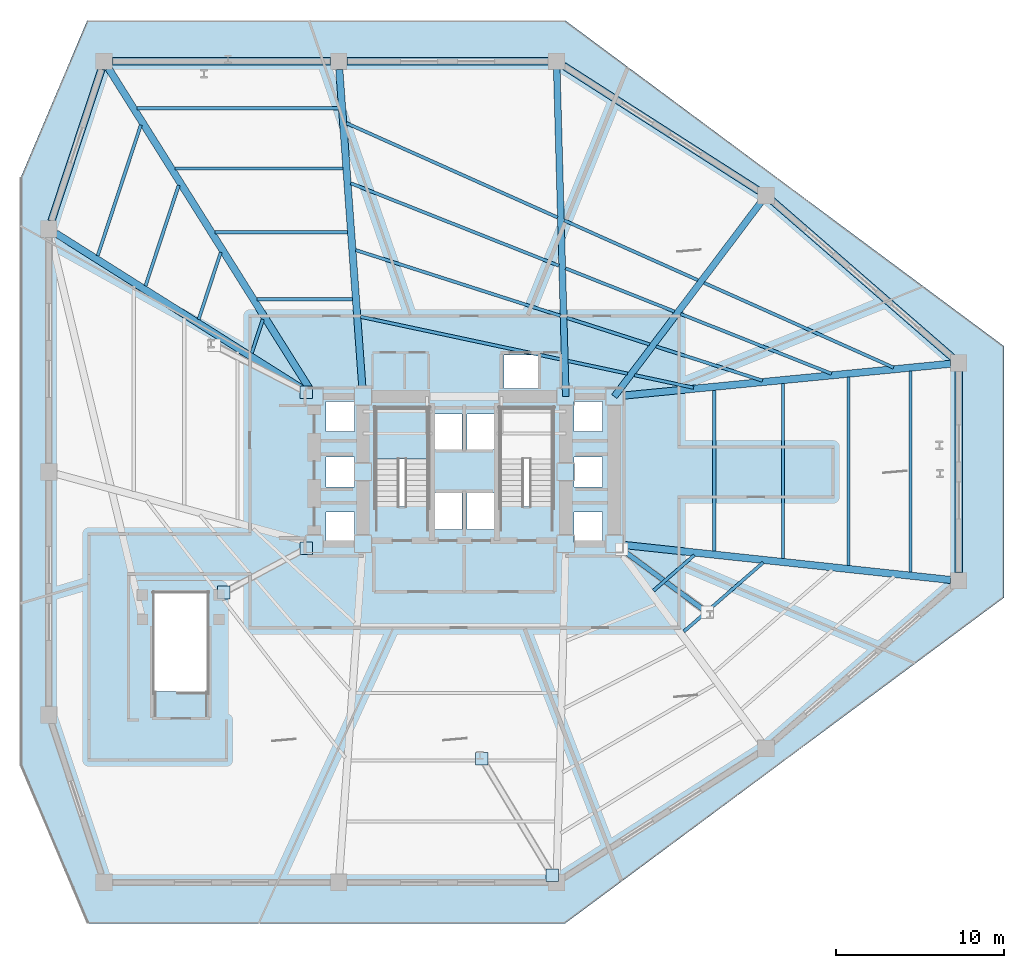
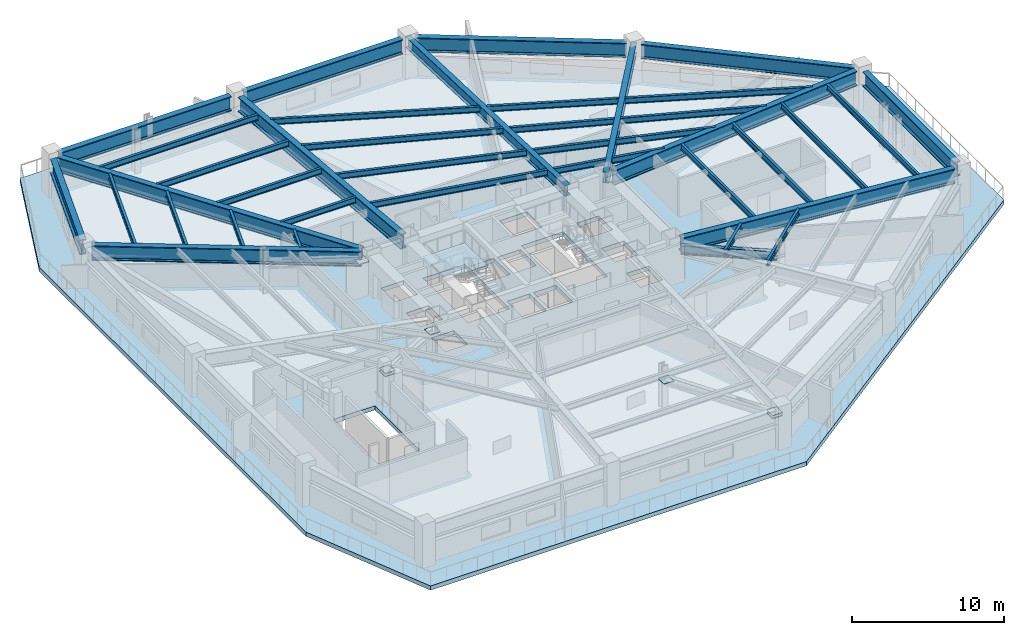
# One storey, part 2 of 10: 39 beams, 7 plates, 2 slabs, 1 member, 1 element without a shape of its own.
"""IFC4 building model written with IfcOpenShell, lengths in metres."""

import ifcopenshell
import ifcopenshell.guid

model = None  # the IFC model being written
_history = None  # IfcOwnerHistory: only IFC2X3 demands one
_inside = {}  # id of a spatial element -> (the spatial element, [elements in it])
_under = {}  # id of a project, library or spatial element -> (it, [spatial elements below it])
_declared = {}  # id of a project -> (the project, [libraries it declares])
_typed = {}  # id of a type object -> (the type object, [elements of that type])
_made_of = {}  # id of a material, layer set ... -> (it, [elements and type objects made of it])


def new_model(schema):
    """Start an empty IFC model of exactly this schema.

    Asked for "IFC4X3", IfcOpenShell would pick the latest addendum, in which some entities
    have other attributes; the version numbers below select the first issue.
    IFC2X3 requires an IfcOwnerHistory on every rooted entity: one is made here for all.
    """
    global model, _history
    if schema == "IFC4X3":
        model = ifcopenshell.file(schema_version=(4, 3, 0, 0))
    else:
        model = ifcopenshell.file(schema=schema)
    _inside.clear()
    _under.clear()
    _declared.clear()
    _typed.clear()
    _made_of.clear()
    _history = None
    if model.schema == "IFC2X3":
        org = make("IfcOrganization", Name="unknown")
        user = make(
            "IfcPersonAndOrganization",
            ThePerson=make("IfcPerson", FamilyName="unknown"),
            TheOrganization=org,
        )
        app = make(
            "IfcApplication",
            ApplicationDeveloper=org,
            Version="unknown",
            ApplicationFullName="unknown",
            ApplicationIdentifier="unknown",
        )
        _history = make(
            "IfcOwnerHistory",
            OwningUser=user,
            OwningApplication=app,
            ChangeAction="ADDED",
            CreationDate=0,
        )
    return model


def make(cls, **values):
    """One entity of the class cls with the attributes given. An attribute that is None is left unset."""
    return model.create_entity(
        cls, **{name: value for name, value in values.items() if value is not None}
    )


def rooted(cls, **values):
    """An entity with a GlobalId (a new one), such as an element, a storey or a relation."""
    return make(cls, GlobalId=ifcopenshell.guid.new(), OwnerHistory=_history, **values)


def si_unit(unit_type, name, prefix=None):
    """IfcSIUnit, for example si_unit("LENGTHUNIT", "METRE", prefix="MILLI")."""
    return make("IfcSIUnit", UnitType=unit_type, Prefix=prefix, Name=name)


def assignment(units):
    """IfcUnitAssignment: the units of a project."""
    return None if units is None else make("IfcUnitAssignment", Units=units)


def point(xyz):
    """IfcCartesianPoint."""
    return None if xyz is None else make("IfcCartesianPoint", Coordinates=xyz)


def direction(xyz):
    """IfcDirection."""
    return None if xyz is None else make("IfcDirection", DirectionRatios=xyz)


def frame(location, z_axis=None, x_axis=None):
    """IfcAxis2Placement3D, a coordinate frame: its origin and axes. An axis left out is left unset."""
    return make(
        "IfcAxis2Placement3D",
        Location=point(location),
        Axis=direction(z_axis),
        RefDirection=direction(x_axis),
    )


def frame_2d(location, x_axis=None):
    """IfcAxis2Placement2D, a coordinate frame in the plane: its origin and x axis."""
    return make(
        "IfcAxis2Placement2D", Location=point(location), RefDirection=direction(x_axis)
    )


def origin():
    """The frame at (0, 0, 0) with its axes left unset."""
    return frame((0.0, 0.0, 0.0))


def origin_2d():
    """The frame at (0, 0) in the plane with its x axis left unset."""
    return frame_2d((0.0, 0.0))


def place(relative_to, where):
    """IfcLocalPlacement: puts the frame where relative to a parent placement (None: the world)."""
    return make(
        "IfcLocalPlacement", PlacementRelTo=relative_to, RelativePlacement=where
    )


def context(
    kind, dimensions, precision=None, world=None, true_north=None, identifier=None
):
    """IfcGeometricRepresentationContext, for example the 3D "Model" context."""
    return make(
        "IfcGeometricRepresentationContext",
        ContextIdentifier=identifier,
        ContextType=kind,
        CoordinateSpaceDimension=dimensions,
        Precision=precision,
        WorldCoordinateSystem=world,
        TrueNorth=true_north,
    )


def subcontext(parent, identifier, kind, view, scale=None):
    """IfcGeometricRepresentationSubContext, for example "Body" below "Model"."""
    return make(
        "IfcGeometricRepresentationSubContext",
        ContextIdentifier=identifier,
        ContextType=kind,
        ParentContext=parent,
        TargetScale=scale,
        TargetView=view,
    )


def project(units=None, contexts=None):
    """IfcProject with its units and contexts."""
    return rooted(
        "IfcProject",
        Name="project",
        RepresentationContexts=contexts,
        UnitsInContext=assignment(units),
    )


def spatial(cls, under=None, at=None, **own):
    """A site, building, storey or space (cls), placed at a placement, below another one or the project."""
    s = rooted(cls, ObjectPlacement=at, **own)
    if under is not None:
        _under.setdefault(under.id(), (under, []))[1].append(s)
    return s


def polyline(points):
    """IfcPolyline through the points."""
    return make("IfcPolyline", Points=[point(p) for p in points])


def profile(cls, at=None, kind="AREA", **sizes):
    """A parametric profile (cls). Its sizes go by their IFC names, for example OverallWidth=200.0."""
    return make(cls, ProfileType=kind, Position=at, **sizes)


def rectangle(**sizes):
    """IfcRectangleProfileDef."""
    return profile("IfcRectangleProfileDef", **sizes)


def i_section(**sizes):
    """IfcIShapeProfileDef."""
    return profile("IfcIShapeProfileDef", **sizes)


def outline(outer, holes=None, kind="AREA"):
    """IfcArbitraryClosedProfileDef: a profile drawn as a closed curve; with holes, ...WithVoids."""
    if holes is None:
        return make("IfcArbitraryClosedProfileDef", ProfileType=kind, OuterCurve=outer)
    return make(
        "IfcArbitraryProfileDefWithVoids",
        ProfileType=kind,
        OuterCurve=outer,
        InnerCurves=holes,
    )


def extrude(swept, where, along, depth):
    """IfcExtrudedAreaSolid: the profile swept, set in the frame where, extruded along a direction by depth."""
    return make(
        "IfcExtrudedAreaSolid",
        SweptArea=swept,
        Position=where,
        ExtrudedDirection=direction(along),
        Depth=depth,
    )


def shape(context_of_items, identifier, shape_type, items):
    """IfcShapeRepresentation: the items that make up one representation, for example the "Body"."""
    return make(
        "IfcShapeRepresentation",
        ContextOfItems=context_of_items,
        RepresentationIdentifier=identifier,
        RepresentationType=shape_type,
        Items=items,
    )


def material(Name=None, Category=None):
    """IfcMaterial."""
    return make("IfcMaterial", Name=Name, Category=Category)


def layer(
    of_material, thickness, ventilated=None, Name=None, Category=None, Priority=None
):
    """IfcMaterialLayer: one layer of a wall or slab, of a material (None: an air gap)."""
    return make(
        "IfcMaterialLayer",
        Material=of_material,
        LayerThickness=thickness,
        IsVentilated=ventilated,
        Name=Name,
        Category=Category,
        Priority=Priority,
    )


def layer_set(layers, Name=None):
    """IfcMaterialLayerSet."""
    return make("IfcMaterialLayerSet", MaterialLayers=layers, LayerSetName=Name)


def material_profile(
    of_material, cross_section, Name=None, Category=None, Priority=None
):
    """IfcMaterialProfile: a cross section and its material."""
    return make(
        "IfcMaterialProfile",
        Name=Name,
        Material=of_material,
        Profile=cross_section,
        Priority=Priority,
        Category=Category,
    )


def profile_set(profiles, Name=None, composite=None):
    """IfcMaterialProfileSet."""
    return make(
        "IfcMaterialProfileSet",
        Name=Name,
        MaterialProfiles=profiles,
        CompositeProfile=composite,
    )


def made_of(thing, what):
    """Note that an element or type object is made of a material, layer set ...; save() writes the relation."""
    if what is not None:
        _made_of.setdefault(what.id(), (what, []))[1].append(thing)
    return thing


def type_object(cls, material=None, **own):
    """A type object (cls), such as IfcWallType, which elements share."""
    return made_of(rooted(cls, **own), material)


def element(
    cls,
    number,
    at=None,
    inside=None,
    cuts=None,
    type_object=None,
    material=None,
    context=None,
    identifier="Body",
    shape_type=None,
    held_by="IfcProductDefinitionShape",
    body=None,
    shapes=None,
    **own,
):
    """One element of the class cls, such as IfcWall. Its Tag is "e" and its number.

    at: its placement. inside: the storey or other place that contains it. cuts: it is an
    opening in that element (IfcRelVoidsElement). A single representation is given by context,
    identifier, shape_type and body (its items); several are given by shapes. held_by: the class
    of the entity that holds the representations. save() writes the other relations.
    """
    e = rooted(cls, Tag="e%d" % number, ObjectPlacement=at, **own)
    if body is not None:
        shapes = [shape(context, identifier, shape_type, body)]
    if shapes is not None:
        e.Representation = make(held_by, Representations=shapes)
    if inside is not None:
        _inside.setdefault(inside.id(), (inside, []))[1].append(e)
    if cuts is not None:
        rooted(
            "IfcRelVoidsElement", RelatingBuildingElement=cuts, RelatedOpeningElement=e
        )
    if type_object is not None:
        _typed.setdefault(type_object.id(), (type_object, []))[1].append(e)
    return made_of(e, material)


def aggregate(whole, parts):
    """IfcRelAggregates: a whole, such as a stair, and the parts it consists of."""
    return rooted("IfcRelAggregates", RelatingObject=whole, RelatedObjects=parts)


def save(model, path):
    """Write the relations noted so far, then the file.

    IfcRelAggregates (storeys below a building ...), IfcRelContainedInSpatialStructure (elements
    in a storey), IfcRelDefinesByType, IfcRelAssociatesMaterial and IfcRelDeclares: one each for
    every whole, place, type object, material and project.
    """
    for whole, parts in _under.values():
        aggregate(whole, parts)
    for where, things in _inside.values():
        rooted(
            "IfcRelContainedInSpatialStructure",
            RelatedElements=things,
            RelatingStructure=where,
        )
    for kind, things in _typed.values():
        rooted("IfcRelDefinesByType", RelatedObjects=things, RelatingType=kind)
    for what, things in _made_of.values():
        rooted("IfcRelAssociatesMaterial", RelatedObjects=things, RelatingMaterial=what)
    for by, libraries in _declared.values():
        rooted("IfcRelDeclares", RelatingContext=by, RelatedDefinitions=libraries)
    model.write(path)


model = new_model("IFC4")

# Units and contexts
model_context = context("Model", 3, precision=1e-05, world=origin(), true_north=direction((0.0, 1.0)))
body_context = subcontext(model_context, "Body", "Model", "MODEL_VIEW")
ifc_project = project(units=[si_unit("LENGTHUNIT", "METRE"), si_unit("AREAUNIT", "SQUARE_METRE"), si_unit("VOLUMEUNIT", "CUBIC_METRE"), si_unit("PLANEANGLEUNIT", "RADIAN"), si_unit("MASSUNIT", "GRAM", prefix="KILO")], contexts=[model_context])

# Site, building, storey
site_placement = place(None, origin())
site = spatial("IfcSite", under=ifc_project, at=site_placement, CompositionType="ELEMENT")
building_placement = place(site_placement, origin())
building = spatial("IfcBuilding", under=site, at=building_placement, Name="Rocaltana Carrier Exchange", CompositionType="ELEMENT")
storey_placement = place(building_placement, frame((0.0, 0.0, 15.360107421875)))
storey = spatial("IfcBuildingStorey", under=building, at=storey_placement, Name="L05", CompositionType="ELEMENT", Elevation=15.360107421875)

# Beams
ifc_material_1 = material(Name="Steel S355", Category="steel")
ifc_material_profile_1 = material_profile(ifc_material_1, i_section(OverallWidth=0.193115234375, OverallDepth=0.466064453125, WebThickness=0.011474609375, FlangeThickness=0.01904296875, FilletRadius=0.013916015625, at=origin_2d()), Name="W18X65")
ifc_profile_set_1 = profile_set([ifc_material_profile_1], Name="Steel S355")
beam_type_1 = type_object("IfcBeamType", Name="Floor Joist W18X65", PredefinedType="JOIST", material=ifc_profile_set_1)
beam_1_placement = place(storey_placement, frame((11.27978515625, -7.0908203125, 2.864990234375), z_axis=(0.754603899719, 0.656180580731, 0.0), x_axis=(-0.656180580731, 0.754603899719, 0.0)))
element("IfcBeam", 1, at=beam_1_placement, inside=storey, type_object=beam_type_1, Name="FJ-POD-03-1-L05", PredefinedType="JOIST", context=body_context, shape_type="SweptSolid", body=[
    extrude(i_section(OverallWidth=0.193115234375, OverallDepth=0.466064453125, WebThickness=0.011474609375, FlangeThickness=0.01904296875, FilletRadius=0.013916015625, at=origin_2d()), origin(), (0.0, 0.0, 1.0), 3.239501953125),
])
beam_2_placement = place(storey_placement, frame((13.089599609375, -9.531005859375, 2.864990234375), z_axis=(0.754588803606, 0.656197940771, 0.0), x_axis=(-0.656197940771, 0.754588803606, 0.0)))
element("IfcBeam", 2, at=beam_2_placement, inside=storey, type_object=beam_type_1, Name="FJ-POD-03-2-L05", PredefinedType="JOIST", context=body_context, shape_type="SweptSolid", body=[
    extrude(i_section(OverallWidth=0.193115234375, OverallDepth=0.466064453125, WebThickness=0.011474609375, FlangeThickness=0.01904296875, FilletRadius=0.013916015625, at=origin_2d()), origin(), (0.0, 0.0, 1.0), 6.28759765625),
])
beam_3_placement = place(storey_placement, frame((14.909423828125, -4.72900390625, 2.864990234375), z_axis=(0.0, 1.0, 0.0), x_axis=(-1.0, 0.0, 0.0)))
element("IfcBeam", 3, at=beam_3_placement, inside=storey, type_object=beam_type_1, Name="FJ-POD-04-1-L05", PredefinedType="JOIST", context=body_context, shape_type="SweptSolid", body=[
    extrude(i_section(OverallWidth=0.193115234375, OverallDepth=0.466064453125, WebThickness=0.011474609375, FlangeThickness=0.01904296875, FilletRadius=0.013916015625, at=origin_2d()), origin(), (0.0, 0.0, 1.0), 9.60009765625),
])
beam_4_placement = place(storey_placement, frame((19.01953125, -5.1689453125, 2.864990234375), z_axis=(0.0, 1.0, 0.0), x_axis=(-1.0, 0.0, 0.0)))
element("IfcBeam", 4, at=beam_4_placement, inside=storey, type_object=beam_type_1, Name="FJ-POD-04-2-L05", PredefinedType="JOIST", context=body_context, shape_type="SweptSolid", body=[
    extrude(i_section(OverallWidth=0.193115234375, OverallDepth=0.466064453125, WebThickness=0.011474609375, FlangeThickness=0.01904296875, FilletRadius=0.013916015625, at=origin_2d()), origin(), (0.0, 0.0, 1.0), 10.43994140625),
])
beam_5_placement = place(storey_placement, frame((22.924072265625, -5.5869140625, 2.864990234375), z_axis=(0.0, 1.0, 0.0), x_axis=(-1.0, 0.0, 0.0)))
element("IfcBeam", 5, at=beam_5_placement, inside=storey, type_object=beam_type_1, Name="FJ-POD-04-3-L05", PredefinedType="JOIST", context=body_context, shape_type="SweptSolid", body=[
    extrude(i_section(OverallWidth=0.193115234375, OverallDepth=0.466064453125, WebThickness=0.011474609375, FlangeThickness=0.01904296875, FilletRadius=0.013916015625, at=origin_2d()), origin(), (0.0, 0.0, 1.0), 11.23779296875),
])
beam_6_placement = place(storey_placement, frame((26.623046875, -5.98291015625, 2.864990234375), z_axis=(0.0, 1.0, 0.0), x_axis=(-1.0, 0.0, 0.0)))
element("IfcBeam", 6, at=beam_6_placement, inside=storey, type_object=beam_type_1, Name="FJ-POD-04-4-L05", PredefinedType="JOIST", context=body_context, shape_type="SweptSolid", body=[
    extrude(i_section(OverallWidth=0.193115234375, OverallDepth=0.466064453125, WebThickness=0.011474609375, FlangeThickness=0.01904296875, FilletRadius=0.013916015625, at=origin_2d()), origin(), (0.0, 0.0, 1.0), 11.993896484375),
])
beam_7_placement = place(storey_placement, frame((13.677490234375, 5.0234375, 2.864990234375), z_axis=(-0.978047761516, 0.208380844116, 0.0), x_axis=(-0.208380844116, -0.978047761516, 0.0)))
element("IfcBeam", 7, at=beam_7_placement, inside=storey, type_object=beam_type_1, Name="FJ-POD-05-1S1-L05", PredefinedType="JOIST", context=body_context, shape_type="SweptSolid", body=[
    extrude(i_section(OverallWidth=0.193115234375, OverallDepth=0.466064453125, WebThickness=0.011474609375, FlangeThickness=0.01904296875, FilletRadius=0.013916015625, at=origin_2d()), origin(), (0.0, 0.0, 1.0), 3.6015625),
])
beam_8_placement = place(storey_placement, frame((9.734130859375, 5.863525390625, 2.864990234375), z_axis=(-0.978057801324, 0.208333716111, 0.0), x_axis=(-0.208333716111, -0.978057801324, 0.0)))
element("IfcBeam", 8, at=beam_8_placement, inside=storey, type_object=beam_type_1, Name="FJ-POD-05-1S2-L05", PredefinedType="JOIST", context=body_context, shape_type="SweptSolid", body=[
    extrude(i_section(OverallWidth=0.193115234375, OverallDepth=0.466064453125, WebThickness=0.011474609375, FlangeThickness=0.01904296875, FilletRadius=0.013916015625, at=origin_2d()), origin(), (0.0, 0.0, 1.0), 3.626953125),
])
beam_9_placement = place(storey_placement, frame((5.794189453125, 6.702880859375, 2.864990234375), z_axis=(-0.978054139118, 0.208350908215, 0.0), x_axis=(-0.208350908215, -0.978054139118, 0.0)))
element("IfcBeam", 9, at=beam_9_placement, inside=storey, type_object=beam_type_1, Name="FJ-POD-05-1S3-L05", PredefinedType="JOIST", context=body_context, shape_type="SweptSolid", body=[
    extrude(i_section(OverallWidth=0.193115234375, OverallDepth=0.466064453125, WebThickness=0.011474609375, FlangeThickness=0.01904296875, FilletRadius=0.013916015625, at=origin_2d()), origin(), (0.0, 0.0, 1.0), 12.2568359375),
])
beam_10_placement = place(storey_placement, frame((17.79296875, 5.44384765625, 2.864990234375), z_axis=(-0.952170911444, 0.305565959163, 0.0), x_axis=(-0.305565959163, -0.952170911444, 0.0)))
element("IfcBeam", 10, at=beam_10_placement, inside=storey, type_object=beam_type_1, Name="FJ-POD-05-2S1-L05", PredefinedType="JOIST", context=body_context, shape_type="SweptSolid", body=[
    extrude(i_section(OverallWidth=0.193115234375, OverallDepth=0.466064453125, WebThickness=0.011474609375, FlangeThickness=0.01904296875, FilletRadius=0.013916015625, at=origin_2d()), origin(), (0.0, 0.0, 1.0), 6.669189453125),
])
beam_11_placement = place(storey_placement, frame((11.049560546875, 7.60791015625, 2.864990234375), z_axis=(-0.952167210623, 0.305577491013, 0.0), x_axis=(-0.305577491013, -0.952167210623, 0.0)))
element("IfcBeam", 11, at=beam_11_placement, inside=storey, type_object=beam_type_1, Name="FJ-POD-05-2S2-L05", PredefinedType="JOIST", context=body_context, shape_type="SweptSolid", body=[
    extrude(i_section(OverallWidth=0.193115234375, OverallDepth=0.466064453125, WebThickness=0.011474609375, FlangeThickness=0.01904296875, FilletRadius=0.013916015625, at=origin_2d()), origin(), (0.0, 0.0, 1.0), 5.18115234375),
])
beam_12_placement = place(storey_placement, frame((5.722412109375, 9.3173828125, 2.864990234375), z_axis=(-0.952173836427, 0.305556844506, 0.0), x_axis=(-0.305556844506, -0.952173836427, 0.0)))
element("IfcBeam", 12, at=beam_12_placement, inside=storey, type_object=beam_type_1, Name="FJ-POD-05-2S3-L05", PredefinedType="JOIST", context=body_context, shape_type="SweptSolid", body=[
    extrude(i_section(OverallWidth=0.193115234375, OverallDepth=0.466064453125, WebThickness=0.011474609375, FlangeThickness=0.01904296875, FilletRadius=0.013916015625, at=origin_2d()), origin(), (0.0, 0.0, 1.0), 12.82470703125),
])
beam_13_placement = place(storey_placement, frame((21.90771484375, 5.85693359375, 2.864990234375), z_axis=(-0.929708057589, 0.368297335931, 0.0), x_axis=(-0.368297335931, -0.929708057589, 0.0)))
element("IfcBeam", 13, at=beam_13_placement, inside=storey, type_object=beam_type_1, Name="FJ-POD-05-3S1-L05", PredefinedType="JOIST", context=body_context, shape_type="SweptSolid", body=[
    extrude(i_section(OverallWidth=0.193115234375, OverallDepth=0.466064453125, WebThickness=0.011474609375, FlangeThickness=0.01904296875, FilletRadius=0.013916015625, at=origin_2d()), origin(), (0.0, 0.0, 1.0), 9.681396484375),
])
beam_14_placement = place(storey_placement, frame((12.53076171875, 9.57177734375, 2.864990234375), z_axis=(-0.92971017185, 0.368291998771, 0.0), x_axis=(-0.368291998771, -0.92971017185, 0.0)))
element("IfcBeam", 14, at=beam_14_placement, inside=storey, type_object=beam_type_1, Name="FJ-POD-05-3S2-L05", PredefinedType="JOIST", context=body_context, shape_type="SweptSolid", body=[
    extrude(i_section(OverallWidth=0.193115234375, OverallDepth=0.466064453125, WebThickness=0.011474609375, FlangeThickness=0.01904296875, FilletRadius=0.013916015625, at=origin_2d()), origin(), (0.0, 0.0, 1.0), 6.987060546875),
])
beam_15_placement = place(storey_placement, frame((5.640380859375, 12.30126953125, 2.864990234375), z_axis=(-0.929710065346, 0.368292267628, 0.0), x_axis=(-0.368292267628, -0.929710065346, 0.0)))
element("IfcBeam", 15, at=beam_15_placement, inside=storey, type_object=beam_type_1, Name="FJ-POD-05-3S3-L05", PredefinedType="JOIST", context=body_context, shape_type="SweptSolid", body=[
    extrude(i_section(OverallWidth=0.193115234375, OverallDepth=0.466064453125, WebThickness=0.011474609375, FlangeThickness=0.01904296875, FilletRadius=0.013916015625, at=origin_2d()), origin(), (0.0, 0.0, 1.0), 13.36328125),
])
beam_16_placement = place(storey_placement, frame((25.610107421875, 6.22509765625, 2.864990234375), z_axis=(-0.913029333599, 0.407893902857, 0.0), x_axis=(-0.407893902857, -0.913029333599, 0.0)))
element("IfcBeam", 16, at=beam_16_placement, inside=storey, type_object=beam_type_1, Name="FJ-POD-05-4S1-L05", PredefinedType="JOIST", context=body_context, shape_type="SweptSolid", body=[
    extrude(i_section(OverallWidth=0.193115234375, OverallDepth=0.466064453125, WebThickness=0.011474609375, FlangeThickness=0.01904296875, FilletRadius=0.013916015625, at=origin_2d()), origin(), (0.0, 0.0, 1.0), 12.382568359375),
])
beam_17_placement = place(storey_placement, frame((13.93896484375, 11.439208984375, 2.864990234375), z_axis=(-0.913032607819, 0.407886573766, 0.0), x_axis=(-0.407886573766, -0.913032607819, 0.0)))
element("IfcBeam", 17, at=beam_17_placement, inside=storey, type_object=beam_type_1, Name="FJ-POD-05-4S2-L05", PredefinedType="JOIST", context=body_context, shape_type="SweptSolid", body=[
    extrude(i_section(OverallWidth=0.193115234375, OverallDepth=0.466064453125, WebThickness=0.011474609375, FlangeThickness=0.01904296875, FilletRadius=0.013916015625, at=origin_2d()), origin(), (0.0, 0.0, 1.0), 8.742919921875),
])
beam_18_placement = place(storey_placement, frame((5.561279296875, 15.181884765625, 2.864990234375), z_axis=(-0.913040088264, 0.407869828772, 0.0), x_axis=(-0.407869828772, -0.913040088264, 0.0)))
element("IfcBeam", 18, at=beam_18_placement, inside=storey, type_object=beam_type_1, Name="FJ-POD-05-4S3-L05", PredefinedType="JOIST", context=body_context, shape_type="SweptSolid", body=[
    extrude(i_section(OverallWidth=0.193115234375, OverallDepth=0.466064453125, WebThickness=0.011474609375, FlangeThickness=0.01904296875, FilletRadius=0.013916015625, at=origin_2d()), origin(), (0.0, 0.0, 1.0), 13.810302734375),
])
beam_19_placement = place(storey_placement, frame((-6.679443359375, 10.300048828125, 2.864990234375), z_axis=(-1.0, 0.0, 0.0), x_axis=(0.0, -1.0, 0.0)))
element("IfcBeam", 19, at=beam_19_placement, inside=storey, type_object=beam_type_1, Name="FJ-POD-06-1-L05", PredefinedType="JOIST", context=body_context, shape_type="SweptSolid", body=[
    extrude(i_section(OverallWidth=0.193115234375, OverallDepth=0.466064453125, WebThickness=0.011474609375, FlangeThickness=0.01904296875, FilletRadius=0.013916015625, at=origin_2d()), origin(), (0.0, 0.0, 1.0), 5.701171875),
])
beam_20_placement = place(storey_placement, frame((-6.969482421875, 14.300048828125, 2.864990234375), z_axis=(-1.0, 0.0, 0.0), x_axis=(0.0, -1.0, 0.0)))
element("IfcBeam", 20, at=beam_20_placement, inside=storey, type_object=beam_type_1, Name="FJ-POD-06-2-L05", PredefinedType="JOIST", context=body_context, shape_type="SweptSolid", body=[
    extrude(i_section(OverallWidth=0.193115234375, OverallDepth=0.466064453125, WebThickness=0.011474609375, FlangeThickness=0.01904296875, FilletRadius=0.013916015625, at=origin_2d()), origin(), (0.0, 0.0, 1.0), 7.9208984375),
])
beam_21_placement = place(storey_placement, frame((-7.2451171875, 18.10009765625, 2.864990234375), z_axis=(-1.0, 0.0, 0.0), x_axis=(0.0, -1.0, 0.0)))
element("IfcBeam", 21, at=beam_21_placement, inside=storey, type_object=beam_type_1, Name="FJ-POD-06-3-L05", PredefinedType="JOIST", context=body_context, shape_type="SweptSolid", body=[
    extrude(i_section(OverallWidth=0.193115234375, OverallDepth=0.466064453125, WebThickness=0.011474609375, FlangeThickness=0.01904296875, FilletRadius=0.013916015625, at=origin_2d()), origin(), (0.0, 0.0, 1.0), 10.02978515625),
])
beam_22_placement = place(storey_placement, frame((-7.506103515625, 21.699951171875, 2.864990234375), z_axis=(-1.0, 0.0, 0.0), x_axis=(0.0, -1.0, 0.0)))
element("IfcBeam", 22, at=beam_22_placement, inside=storey, type_object=beam_type_1, Name="FJ-POD-06-4-L05", PredefinedType="JOIST", context=body_context, shape_type="SweptSolid", body=[
    extrude(i_section(OverallWidth=0.193115234375, OverallDepth=0.466064453125, WebThickness=0.011474609375, FlangeThickness=0.01904296875, FilletRadius=0.013916015625, at=origin_2d()), origin(), (0.0, 0.0, 1.0), 12.02783203125),
])
beam_23_placement = place(storey_placement, frame((-12.027587890625, 9.1015625, 2.864990234375), z_axis=(-0.313309610187, -0.949651034941, 0.0), x_axis=(0.949651034941, -0.313309610187, 0.0)))
element("IfcBeam", 23, at=beam_23_placement, inside=storey, type_object=beam_type_1, Name="FJ-POD-07-1-L05", PredefinedType="JOIST", context=body_context, shape_type="SweptSolid", body=[
    extrude(i_section(OverallWidth=0.193115234375, OverallDepth=0.466064453125, WebThickness=0.011474609375, FlangeThickness=0.01904296875, FilletRadius=0.013916015625, at=origin_2d()), origin(), (0.0, 0.0, 1.0), 2.109375),
])
beam_24_placement = place(storey_placement, frame((-14.53759765625, 13.1015625, 2.864990234375), z_axis=(-0.313324703247, -0.949646055294, 0.0), x_axis=(0.949646055294, -0.313324703247, 0.0)))
element("IfcBeam", 24, at=beam_24_placement, inside=storey, type_object=beam_type_1, Name="FJ-POD-07-2-L05", PredefinedType="JOIST", context=body_context, shape_type="SweptSolid", body=[
    extrude(i_section(OverallWidth=0.193115234375, OverallDepth=0.466064453125, WebThickness=0.011474609375, FlangeThickness=0.01904296875, FilletRadius=0.013916015625, at=origin_2d()), origin(), (0.0, 0.0, 1.0), 4.21533203125),
])
beam_25_placement = place(storey_placement, frame((-17.047607421875, 17.1015625, 2.864990234375), z_axis=(-0.313364567994, -0.949632901455, 0.0), x_axis=(0.949632901455, -0.313364567994, 0.0)))
element("IfcBeam", 25, at=beam_25_placement, inside=storey, type_object=beam_type_1, Name="FJ-POD-07-3-L05", PredefinedType="JOIST", context=body_context, shape_type="SweptSolid", body=[
    extrude(i_section(OverallWidth=0.193115234375, OverallDepth=0.466064453125, WebThickness=0.011474609375, FlangeThickness=0.01904296875, FilletRadius=0.013916015625, at=origin_2d()), origin(), (0.0, 0.0, 1.0), 6.321533203125),
])
beam_26_placement = place(storey_placement, frame((-19.306396484375, 20.701416015625, 2.864990234375), z_axis=(-0.313400764889, -0.949620956259, 0.0), x_axis=(0.949620956259, -0.313400764889, 0.0)))
element("IfcBeam", 26, at=beam_26_placement, inside=storey, type_object=beam_type_1, Name="FJ-POD-07-4-L05", PredefinedType="JOIST", context=body_context, shape_type="SweptSolid", body=[
    extrude(i_section(OverallWidth=0.193115234375, OverallDepth=0.466064453125, WebThickness=0.011474609375, FlangeThickness=0.01904296875, FilletRadius=0.013916015625, at=origin_2d()), origin(), (0.0, 0.0, 1.0), 8.217041015625),
])
ifc_material_2 = material(Name="Steel S460", Category="steel")
ifc_material_profile_2 = material_profile(ifc_material_2, i_section(OverallWidth=0.429931640625, OverallDepth=1.159912109375, WebThickness=0.035888671875, FlangeThickness=0.06201171875, FilletRadius=0.02490234375, at=origin_2d()), Name="W44X468")
ifc_profile_set_2 = profile_set([ifc_material_profile_2], Name="Steel S460")
beam_type_2 = type_object("IfcBeamType", Name="Mega Transfer Girder W44X468", PredefinedType="USERDEFINED", material=ifc_profile_set_2)
beam_27_placement = place(storey_placement, frame((29.5, -6.008056640625, 2.517822265625), z_axis=(0.0, 1.0, 0.0), x_axis=(-1.0, 0.0, 0.0)))
element("IfcBeam", 27, at=beam_27_placement, inside=storey, type_object=beam_type_2, Name="BM-PODR-05-L05", ObjectType="TRANSFER GIRDER", PredefinedType="USERDEFINED", context=body_context, shape_type="SweptSolid", body=[
    extrude(i_section(OverallWidth=0.429931640625, OverallDepth=1.159912109375, WebThickness=0.035888671875, FlangeThickness=0.06201171875, FilletRadius=0.02490234375, at=origin_2d()), origin(), (0.0, 0.0, 1.0), 12.01611328125),
])
beam_28_placement = place(storey_placement, frame((29.128662109375, 6.82275390625, 2.517822265625), z_axis=(-0.754595198685, 0.656190586737, 0.0), x_axis=(-0.656190586737, -0.754595198685, 0.0)))
element("IfcBeam", 28, at=beam_28_placement, inside=storey, type_object=beam_type_2, Name="BM-PODR-06-L05", ObjectType="TRANSFER GIRDER", PredefinedType="USERDEFINED", context=body_context, shape_type="SweptSolid", body=[
    extrude(i_section(OverallWidth=0.429931640625, OverallDepth=1.159912109375, WebThickness=0.035888671875, FlangeThickness=0.06201171875, FilletRadius=0.02490234375, at=origin_2d()), origin(), (0.0, 0.0, 1.0), 14.255859375),
])
beam_29_placement = place(storey_placement, frame((17.585693359375, 16.76513671875, 2.517822265625), z_axis=(-0.842270120768, 0.539055696252, 0.0), x_axis=(-0.539055696252, -0.842270120768, 0.0)))
element("IfcBeam", 29, at=beam_29_placement, inside=storey, type_object=beam_type_2, Name="BM-PODR-07-L05", ObjectType="TRANSFER GIRDER", PredefinedType="USERDEFINED", context=body_context, shape_type="SweptSolid", body=[
    extrude(i_section(OverallWidth=0.429931640625, OverallDepth=1.159912109375, WebThickness=0.035888671875, FlangeThickness=0.06201171875, FilletRadius=0.02490234375, at=origin_2d()), origin(), (0.0, 0.0, 1.0), 13.857177734375),
])
beam_30_placement = place(storey_placement, frame((5.008056640625, 24.5, 2.517822265625), z_axis=(-1.0, 0.0, 0.0), x_axis=(0.0, -1.0, 0.0)))
element("IfcBeam", 30, at=beam_30_placement, inside=storey, type_object=beam_type_2, Name="BM-PODR-08-L05", ObjectType="TRANSFER GIRDER", PredefinedType="USERDEFINED", context=body_context, shape_type="SweptSolid", body=[
    extrude(i_section(OverallWidth=0.429931640625, OverallDepth=1.159912109375, WebThickness=0.035888671875, FlangeThickness=0.06201171875, FilletRadius=0.02490234375, at=origin_2d()), origin(), (0.0, 0.0, 1.0), 12.01611328125),
])
beam_31_placement = place(storey_placement, frame((-7.991943359375, 24.5, 2.517822265625), z_axis=(-1.0, 0.0, 0.0), x_axis=(0.0, -1.0, 0.0)))
element("IfcBeam", 31, at=beam_31_placement, inside=storey, type_object=beam_type_2, Name="BM-PODR-09-L05", ObjectType="TRANSFER GIRDER", PredefinedType="USERDEFINED", context=body_context, shape_type="SweptSolid", body=[
    extrude(i_section(OverallWidth=0.429931640625, OverallDepth=1.159912109375, WebThickness=0.035888671875, FlangeThickness=0.06201171875, FilletRadius=0.02490234375, at=origin_2d()), origin(), (0.0, 0.0, 1.0), 13.01611328125),
])
beam_32_placement = place(storey_placement, frame((-21.654296875, 24.03271484375, 2.517822265625), z_axis=(-0.313364538918, -0.94963291105, 0.0), x_axis=(0.94963291105, -0.313364538918, 0.0)))
element("IfcBeam", 32, at=beam_32_placement, inside=storey, type_object=beam_type_2, Name="BM-PODR-10-L05", ObjectType="TRANSFER GIRDER", PredefinedType="USERDEFINED", context=body_context, shape_type="SweptSolid", body=[
    extrude(i_section(OverallWidth=0.429931640625, OverallDepth=1.159912109375, WebThickness=0.035888671875, FlangeThickness=0.06201171875, FilletRadius=0.02490234375, at=origin_2d()), origin(), (0.0, 0.0, 1.0), 9.546142578125),
])

# Member
ifc_material_3 = material(Name="Steel S460", Category="steel")
ifc_material_profile_3 = material_profile(ifc_material_3, i_section(OverallWidth=0.300048828125, OverallDepth=0.699951171875, WebThickness=0.01708984375, FlangeThickness=0.031982421875, FilletRadius=0.027099609375, at=origin_2d()), Name="HEB700")
ifc_profile_set_3 = profile_set([ifc_material_profile_3], Name="Steel S460")
member_type = type_object("IfcMemberType", Name="Mega-Truss Chord HEB700", PredefinedType="CHORD", material=ifc_profile_set_3)
member_placement = place(storey_placement, frame((9.389404296875, -4.624267578125, 2.31982421875), z_axis=(0.8045964392, -0.593822001973, 0.0), x_axis=(0.593822001973, 0.8045964392, 0.0)))
element("IfcMember", 33, at=member_placement, inside=storey, type_object=member_type, Name="L05 Mega-Transfer Bottom Chord 3", PredefinedType="CHORD", context=body_context, shape_type="SweptSolid", body=[
    extrude(i_section(OverallWidth=0.300048828125, OverallDepth=0.699951171875, WebThickness=0.01708984375, FlangeThickness=0.031982421875, FilletRadius=0.027099609375, at=origin_2d()), origin(), (0.0, 0.0, 1.0), 6.334716796875),
])

# Beams
ifc_material_4 = material(Name="Steel S355", Category="steel")
ifc_material_profile_4 = material_profile(ifc_material_4, i_section(OverallWidth=0.39990234375, OverallDepth=0.85498046875, WebThickness=0.018310546875, FlangeThickness=0.029296875, FilletRadius=0.02001953125, at=origin_2d()), Name="W33X201")
ifc_profile_set_4 = profile_set([ifc_material_profile_4], Name="Steel S355")
beam_type_3 = type_object("IfcBeamType", Name="Podium Girder W33X201", PredefinedType="BEAM", material=ifc_profile_set_4)
beam_33_placement = place(storey_placement, frame((8.949951171875, 4.5, 2.67041015625), z_axis=(0.602129013684, 0.798398804408, 0.0), x_axis=(-0.798398804408, 0.602129013684, 0.0)))
element("IfcBeam", 34, at=beam_33_placement, inside=storey, type_object=beam_type_3, Name="L05 Transfer Chord 2", PredefinedType="BEAM", context=body_context, shape_type="SweptSolid", body=[
    extrude(i_section(OverallWidth=0.39990234375, OverallDepth=0.85498046875, WebThickness=0.018310546875, FlangeThickness=0.029296875, FilletRadius=0.02001953125, at=origin_2d()), origin(), (0.0, 0.0, 1.0), 15.030029296875),
])
beam_34_placement = place(storey_placement, frame((5.5, 24.5, 2.67041015625), z_axis=(0.027492046096, -0.999622022267, 0.0), x_axis=(0.999622022267, 0.027492046096, 0.0)))
element("IfcBeam", 35, at=beam_34_placement, inside=storey, type_object=beam_type_3, Name="L05 Transfer Chord 3", PredefinedType="BEAM", context=body_context, shape_type="SweptSolid", body=[
    extrude(i_section(OverallWidth=0.39990234375, OverallDepth=0.85498046875, WebThickness=0.018310546875, FlangeThickness=0.029296875, FilletRadius=0.02001953125, at=origin_2d()), origin(), (0.0, 0.0, 1.0), 20.007568359375),
])
ifc_material_5 = material(Name="Steel S460", Category="steel")
ifc_material_profile_5 = material_profile(ifc_material_5, i_section(OverallWidth=0.429931640625, OverallDepth=1.159912109375, WebThickness=0.035888671875, FlangeThickness=0.06201171875, FilletRadius=0.02490234375, at=origin_2d()), Name="W44X468")
ifc_profile_set_5 = profile_set([ifc_material_profile_5], Name="Steel S460")
beam_type_4 = type_object("IfcBeamType", Name="Podium Transfer Girder W44X468", PredefinedType="USERDEFINED", material=ifc_profile_set_5)
beam_35_placement = place(storey_placement, frame((9.489013671875, -4.357666015625, 2.517822265625), z_axis=(0.994318699664, -0.10644399231, 0.0), x_axis=(0.10644399231, 0.994318699664, 0.0)))
element("IfcBeam", 36, at=beam_35_placement, inside=storey, type_object=beam_type_4, Name="BM-PODG-05-L05", ObjectType="TRANSFER GIRDER", PredefinedType="USERDEFINED", context=body_context, shape_type="SweptSolid", body=[
    extrude(i_section(OverallWidth=0.429931640625, OverallDepth=1.159912109375, WebThickness=0.035888671875, FlangeThickness=0.06201171875, FilletRadius=0.02490234375, at=origin_2d()), origin(), (0.0, 0.0, 1.0), 19.63330078125),
])
beam_36_placement = place(storey_placement, frame((9.489501953125, 4.552490234375, 2.517822265625), z_axis=(0.995297082443, 0.0968695911, 0.0), x_axis=(-0.0968695911, 0.995297082443, 0.0)))
element("IfcBeam", 37, at=beam_36_placement, inside=storey, type_object=beam_type_4, Name="BM-PODG-06-L05", ObjectType="TRANSFER GIRDER", PredefinedType="USERDEFINED", context=body_context, shape_type="SweptSolid", body=[
    extrude(i_section(OverallWidth=0.429931640625, OverallDepth=1.159912109375, WebThickness=0.035888671875, FlangeThickness=0.06201171875, FilletRadius=0.02490234375, at=origin_2d()), origin(), (0.0, 0.0, 1.0), 19.613037109375),
])
beam_37_placement = place(storey_placement, frame((-6.089111328125, 5.04052734375, 2.517822265625), z_axis=(-0.072310719598, 0.997382153355, 0.0), x_axis=(-0.997382153355, -0.072310719598, 0.0)))
element("IfcBeam", 38, at=beam_37_placement, inside=storey, type_object=beam_type_4, Name="BM-PODG-09-L05", ObjectType="TRANSFER GIRDER", PredefinedType="USERDEFINED", context=body_context, shape_type="SweptSolid", body=[
    extrude(i_section(OverallWidth=0.429931640625, OverallDepth=1.159912109375, WebThickness=0.035888671875, FlangeThickness=0.06201171875, FilletRadius=0.02490234375, at=origin_2d()), origin(), (0.0, 0.0, 1.0), 19.0185546875),
])
beam_38_placement = place(storey_placement, frame((-9.238037109375, 4.958984375, 2.517822265625), z_axis=(-0.531521193094, 0.847044993665, 0.0), x_axis=(-0.847044993665, -0.531521193094, 0.0)))
element("IfcBeam", 39, at=beam_38_placement, inside=storey, type_object=beam_type_4, Name="BM-PODG-10-L05", ObjectType="TRANSFER GIRDER", PredefinedType="USERDEFINED", context=body_context, shape_type="SweptSolid", body=[
    extrude(i_section(OverallWidth=0.429931640625, OverallDepth=1.159912109375, WebThickness=0.035888671875, FlangeThickness=0.06201171875, FilletRadius=0.02490234375, at=origin_2d()), origin(), (0.0, 0.0, 1.0), 22.57763671875),
])
beam_39_placement = place(storey_placement, frame((-9.408447265625, 4.789306640625, 2.517822265625), z_axis=(-0.845740432833, 0.533594527962, 0.0), x_axis=(-0.533594527962, -0.845740432833, 0.0)))
element("IfcBeam", 40, at=beam_39_placement, inside=storey, type_object=beam_type_4, Name="BM-PODG-11-L05", ObjectType="TRANSFER GIRDER", PredefinedType="USERDEFINED", context=body_context, shape_type="SweptSolid", body=[
    extrude(i_section(OverallWidth=0.429931640625, OverallDepth=1.159912109375, WebThickness=0.035888671875, FlangeThickness=0.06201171875, FilletRadius=0.02490234375, at=origin_2d()), origin(), (0.0, 0.0, 1.0), 17.706787109375),
])

# Plates
ifc_material_6 = material(Name="Steel S460", Category="steel")
ifc_layer_1 = layer(ifc_material_6, 0.035888671875)
ifc_layer_set_1 = layer_set([ifc_layer_1], Name="Steel S460")
plate_type = type_object("IfcPlateType", Name="Outrigger Node Gusset Plate 750x750x36", PredefinedType="USERDEFINED", material=ifc_layer_set_1)
for number, where, z_axis, x_axis, name in (
    (41, (-9.43603515625, 4.748779296875, 2.3017578125), (0.0, 0.0, 1.0), (1.0, 0.0, 0.0), "L05 Mega-Transfer Truss Diagonal 1 node plate C0"),
    (42, (-9.431396484375, -4.5576171875, 2.3017578125), (0.0, 0.0, 1.0), (1.0, 0.0, 0.0), "L05 Mega-Transfer Truss Diagonal 2 node plate C0"),
    (43, (-14.366943359375, -7.198486328125, 2.52978515625), (0.0, 0.0, 1.0), (1.0, 0.0, 0.0), "L05 Mega-Transfer Truss Diagonal 2 node plate C1"),
    (44, (-14.366943359375, -7.198486328125, 2.3017578125), (0.0, 0.0, 1.0), (1.0, 0.0, 0.0), "L05 Mega-Transfer Bottom Chord 2 node plate C1"),
    (45, (1.03955078125, -17.10546875, 2.3017578125), (0.0, 0.0, 1.0), (1.0, 0.0, 0.0), "L05 Mega-Transfer Truss Diagonal 4 node plate C0"),
    (46, (5.243896484375, -24.0751953125, 2.52978515625), (0.0, 0.0, 1.0), (1.0, 0.0, 0.0), "L05 Mega-Transfer Truss Diagonal 4 node plate C1"),
    (47, (5.243896484375, -24.0751953125, 2.3017578125), (0.0, 0.0, 1.0), (1.0, 0.0, 0.0), "L05 Mega-Transfer Bottom Chord 4 node plate C1"),
):
    element("IfcPlate", number, at=place(storey_placement, frame(where, z_axis=z_axis, x_axis=x_axis)), inside=storey, type_object=plate_type, Name=name, ObjectType="GUSSET PLATE", PredefinedType="USERDEFINED", context=body_context, shape_type="SweptSolid", body=[
        extrude(rectangle(XDim=0.75, YDim=0.75, at=origin_2d()), origin(), (0.0, 0.0, 1.0), 0.035888671875),
    ])

# Stair, slab
ifc_material_7 = material(Name="Precast concrete C45/55", Category="concrete")
stair_type = type_object("IfcStairType", Name="Standard Dog-Leg Stair 160", PredefinedType="HALF_TURN_STAIR", material=ifc_material_7)
stair_placement = place(storey_placement, origin())
stair = element("IfcStair", 48, at=stair_placement, inside=storey, type_object=stair_type, Name="L05 Core West Exit Stair ST-1", PredefinedType="HALF_TURN_STAIR")
ifc_material_8 = material(Name="Precast concrete C45/55", Category="concrete")
ifc_layer_2 = layer(ifc_material_8, 0.199951171875)
ifc_layer_set_2 = layer_set([ifc_layer_2], Name="Precast concrete C45/55")
slab_type_1 = type_object("IfcSlabType", Name="Precast Stair Half-Landing 200", PredefinedType="LANDING", material=ifc_layer_set_2)
slab_1_placement = place(storey_placement, frame((0.0, 0.0, 1.559814453125)))
slab_1 = element("IfcSlab", 49, at=slab_1_placement, type_object=slab_type_1, Name="ST-1 landing 1", PredefinedType="LANDING", context=body_context, shape_type="SweptSolid", body=[
    extrude(outline(polyline([(-2.139892578125, 0.780029296875), (-2.139892578125, 3.800048828125), (-5.300048828125, 3.800048828125), (-5.300048828125, 0.780029296875), (-2.139892578125, 0.780029296875)])), origin(), (0.0, 0.0, 1.0), 0.2001953125),
])
aggregate(stair, [slab_1])

# Slab
ifc_material_9 = material(Name="Concrete C60/75", Category="concrete")
ifc_layer_3 = layer(ifc_material_9, 0.340087890625)
ifc_layer_set_3 = layer_set([ifc_layer_3], Name="Concrete C60/75")
slab_type_2 = type_object("IfcSlabType", Name="Transfer Diaphragm Slab 340", PredefinedType="FLOOR", material=ifc_layer_set_3)
slab_2_placement = place(storey_placement, frame((0.0, 0.0, -0.340087890625)))
element("IfcSlab", 50, at=slab_2_placement, inside=storey, type_object=slab_type_2, Name="L05 Structural Floor Slab", PredefinedType="FLOOR", context=body_context, shape_type="SweptSolid", body=[
    extrude(outline(polyline([(-22.5, -26.949951171875), (6.0, -26.949951171875), (32.199951171875, -7.5), (32.199951171875, 7.5), (6.0, 26.949951171875), (-22.5, 26.949951171875), (-26.5, 17.5), (-26.5, -17.5), (-22.5, -26.949951171875)]), holes=[polyline([(-5.300048828125, -2.06005859375), (-2.139892578125, -2.06005859375), (-2.139892578125, 3.800048828125), (-5.300048828125, 3.800048828125), (-5.300048828125, -2.06005859375)]), polyline([(2.139892578125, -2.06005859375), (5.300048828125, -2.06005859375), (5.300048828125, 3.800048828125), (2.139892578125, 3.800048828125), (2.139892578125, -2.06005859375)]), polyline([(-18.5, -13.110107421875), (-15.340087890625, -13.110107421875), (-15.340087890625, -7.25), (-18.5, -7.25), (-18.5, -13.110107421875)]), polyline([(-1.85009765625, -3.449951171875), (-0.14990234375, -3.449951171875), (-0.14990234375, -1.25), (-1.85009765625, -1.25), (-1.85009765625, -3.449951171875)]), polyline([(0.14990234375, -3.449951171875), (1.85009765625, -3.449951171875), (1.85009765625, -1.25), (0.14990234375, -1.25), (0.14990234375, -3.449951171875)]), polyline([(2.35009765625, 4.97998046875), (4.39990234375, 4.97998046875), (4.39990234375, 6.97998046875), (2.35009765625, 6.97998046875), (2.35009765625, 4.97998046875)]), polyline([(-1.85009765625, 1.35009765625), (-0.14990234375, 1.35009765625), (-0.14990234375, 3.449951171875), (-1.85009765625, 3.449951171875), (-1.85009765625, 1.35009765625)]), polyline([(0.14990234375, 1.35009765625), (1.85009765625, 1.35009765625), (1.85009765625, 3.449951171875), (0.14990234375, 3.449951171875), (0.14990234375, 1.35009765625)]), polyline([(-8.25, -4.199951171875), (-6.550048828125, -4.199951171875), (-6.550048828125, -2.39990234375), (-8.25, -2.39990234375), (-8.25, -4.199951171875)]), polyline([(-8.25, -0.89990234375), (-6.550048828125, -0.89990234375), (-6.550048828125, 0.89990234375), (-8.25, 0.89990234375), (-8.25, -0.89990234375)]), polyline([(-8.25, 2.39990234375), (-6.550048828125, 2.39990234375), (-6.550048828125, 4.199951171875), (-8.25, 4.199951171875), (-8.25, 2.39990234375)]), polyline([(6.550048828125, -4.199951171875), (8.25, -4.199951171875), (8.25, -2.39990234375), (6.550048828125, -2.39990234375), (6.550048828125, -4.199951171875)]), polyline([(6.550048828125, -0.89990234375), (8.25, -0.89990234375), (8.25, 0.89990234375), (6.550048828125, 0.89990234375), (6.550048828125, -0.89990234375)]), polyline([(6.550048828125, 2.39990234375), (8.25, 2.39990234375), (8.25, 4.199951171875), (6.550048828125, 4.199951171875), (6.550048828125, 2.39990234375)])]), origin(), (0.0, 0.0, 1.0), 0.340087890625),
])

save(model, "model.ifc")
